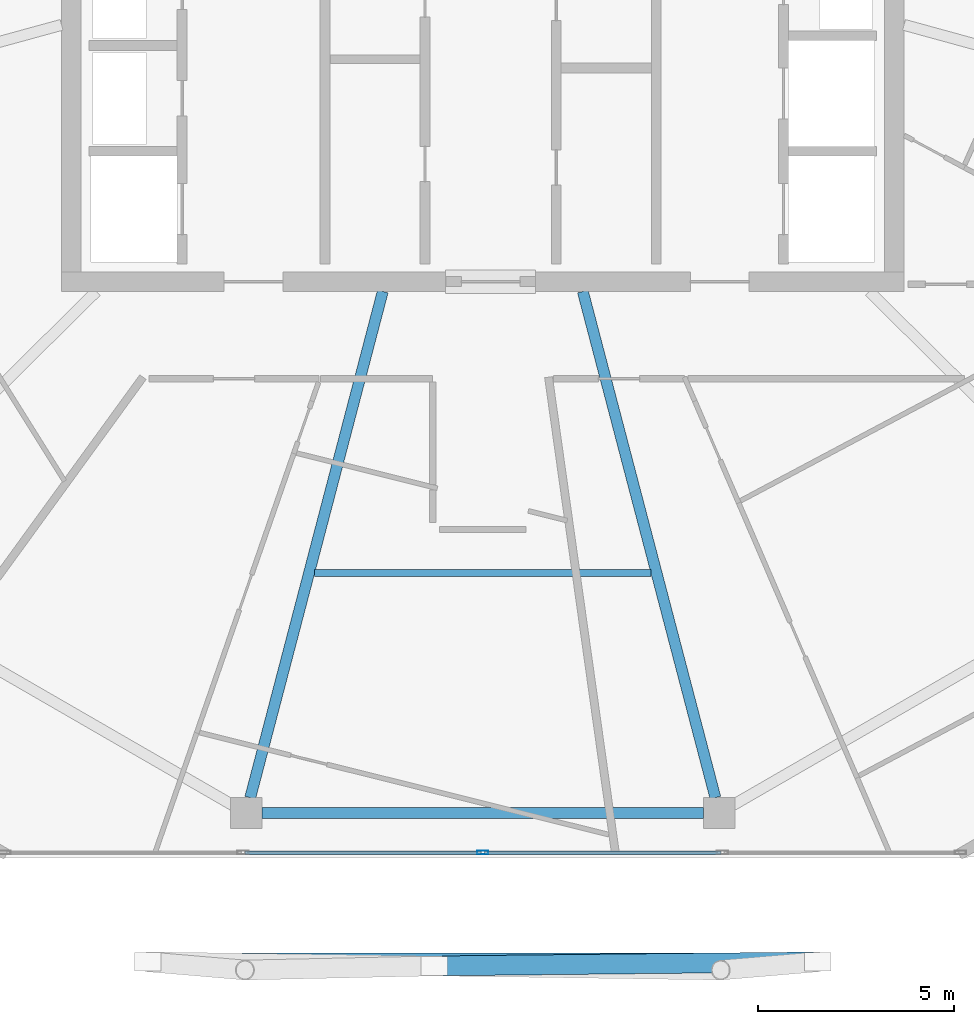
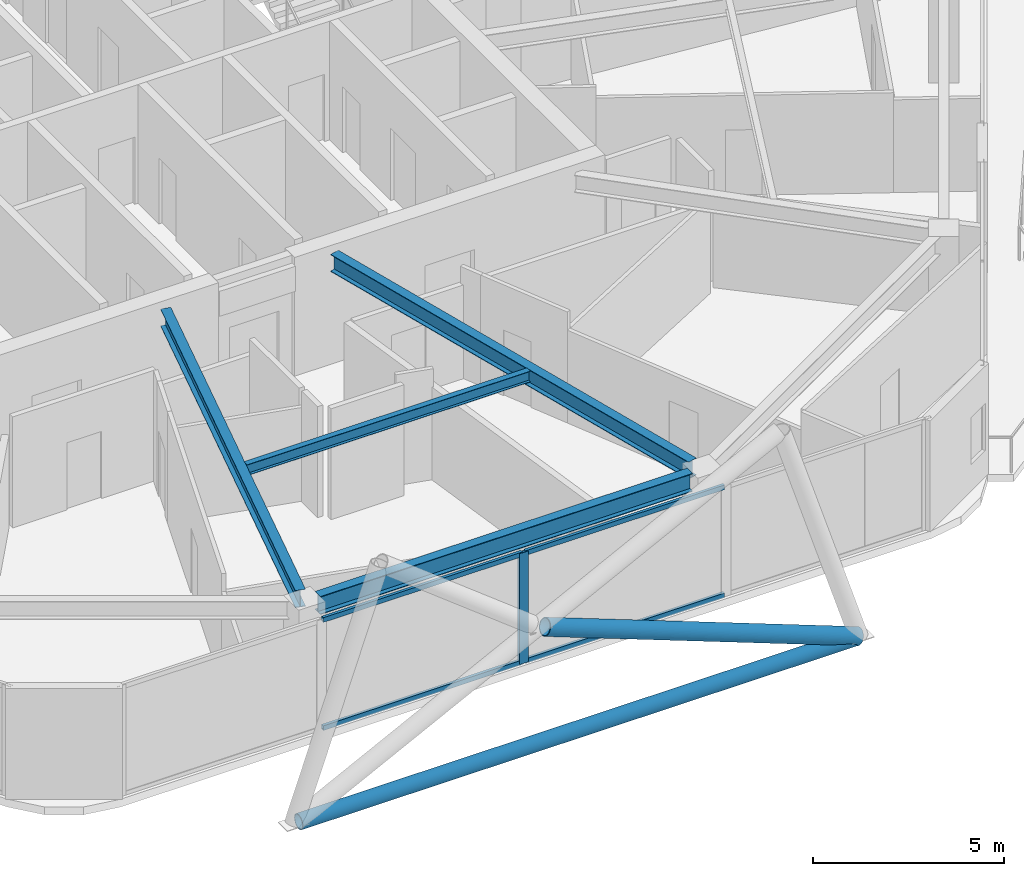
# One storey, part 4 of 23: 7 members, 4 beams, 1 element without a shape of its own.
"""IFC4 building model written with IfcOpenShell, lengths in metres."""

from ifc_helpers import new_model, si_unit, direction, frame, origin, origin_2d, place, context, subcontext, project, spatial, hollow_rectangle, hollow_circle, i_section, extrude, material, material_profile, profile_set, type_object, element, aggregate, save


model = new_model("IFC4")

# Units and contexts
model_context = context("Model", 3, precision=1e-05, world=origin(), true_north=direction((0.0, 1.0)))
body_context = subcontext(model_context, "Body", "Model", "MODEL_VIEW")
ifc_project = project(units=[si_unit("LENGTHUNIT", "METRE"), si_unit("AREAUNIT", "SQUARE_METRE"), si_unit("VOLUMEUNIT", "CUBIC_METRE"), si_unit("PLANEANGLEUNIT", "RADIAN"), si_unit("MASSUNIT", "GRAM", prefix="KILO")], contexts=[model_context])

# Site, building, storey
site_placement = place(None, origin())
site = spatial("IfcSite", under=ifc_project, at=site_placement, CompositionType="ELEMENT")
building_placement = place(site_placement, origin())
building = spatial("IfcBuilding", under=site, at=building_placement, Name="Zuhravey Tower", CompositionType="ELEMENT")
storey_placement = place(building_placement, frame((0.0, 0.0, 315.800048828125)))
storey = spatial("IfcBuildingStorey", under=building, at=storey_placement, Name="L80", CompositionType="ELEMENT", Elevation=315.800048828125)

# Curtain wall, members
ifc_material_1 = material(Name="Thermally broken anodised aluminium", Category="aluminium")
curtain_wall_type = type_object("IfcCurtainWallType", Name="Zone 3-4 High-Rise Curtain Wall CW4", PredefinedType="NOTDEFINED", material=ifc_material_1)
curtain_wall_placement = place(storey_placement, origin())
curtain_wall = element("IfcCurtainWall", 1, at=curtain_wall_placement, inside=storey, type_object=curtain_wall_type, Name="L80 CW4 CW-L80-F5-1", PredefinedType="NOTDEFINED")
ifc_material_2 = material(Name="Anodised aluminium", Category="aluminium")
ifc_material_profile_1 = material_profile(ifc_material_2, hollow_rectangle(XDim=0.090087890625, YDim=0.284912109375, WallThickness=0.0048828125, at=origin_2d()), Name="ALU-RHS-90x285x5")
ifc_profile_set_1 = profile_set([ifc_material_profile_1], Name="Anodised aluminium")
member_type_1 = type_object("IfcMemberType", Name="Curtain-Wall Mullion 90x180", PredefinedType="MULLION", material=ifc_profile_set_1)
member_1_placement = place(storey_placement, frame((36.0, 7.92578125, 0.0), z_axis=(0.0, 0.0, 1.0), x_axis=(0.0, -1.0, 0.0)))
member_1 = element("IfcMember", 2, at=member_1_placement, type_object=member_type_1, Name="CW4 mullion 3", PredefinedType="MULLION", context=body_context, shape_type="SweptSolid", body=[
    extrude(hollow_rectangle(XDim=0.090087890625, YDim=0.284912109375, WallThickness=0.0048828125, at=origin_2d()), origin(), (0.0, 0.0, 1.0), 3.550048828125),
])
ifc_material_profile_2 = material_profile(ifc_material_2, hollow_rectangle(XDim=0.090087890625, YDim=0.14990234375, WallThickness=0.0048828125, at=origin_2d()), Name="ALU-RHS-90x150x5")
ifc_profile_set_2 = profile_set([ifc_material_profile_2], Name="Anodised aluminium")
member_type_2 = type_object("IfcMemberType", Name="Curtain-Wall Transom 90x150", PredefinedType="USERDEFINED", material=ifc_profile_set_2)
member_2_placement = place(storey_placement, frame((42.07470703125, 7.92578125, 0.044921875), z_axis=(-1.0, 0.0, 0.0), x_axis=(0.0, -1.0, 0.0)))
member_2 = element("IfcMember", 3, at=member_2_placement, type_object=member_type_2, Name="CW4 transom 2.1", ObjectType="TRANSOM", PredefinedType="USERDEFINED", context=body_context, shape_type="SweptSolid", body=[
    extrude(hollow_rectangle(XDim=0.090087890625, YDim=0.14990234375, WallThickness=0.0048828125, at=origin_2d()), origin(), (0.0, 0.0, 1.0), 6.02978515625),
])
member_3_placement = place(storey_placement, frame((42.07470703125, 7.92578125, 3.5048828125), z_axis=(-1.0, 0.0, 0.0), x_axis=(0.0, -1.0, 0.0)))
member_3 = element("IfcMember", 4, at=member_3_placement, type_object=member_type_2, Name="CW4 transom 2.2", ObjectType="TRANSOM", PredefinedType="USERDEFINED", context=body_context, shape_type="SweptSolid", body=[
    extrude(hollow_rectangle(XDim=0.090087890625, YDim=0.14990234375, WallThickness=0.0048828125, at=origin_2d()), origin(), (0.0, 0.0, 1.0), 6.02978515625),
])
member_4_placement = place(storey_placement, frame((35.955078125, 7.92578125, 0.044921875), z_axis=(-1.0, 0.0, 0.0), x_axis=(0.0, -1.0, 0.0)))
member_4 = element("IfcMember", 5, at=member_4_placement, type_object=member_type_2, Name="CW4 transom 3.1", ObjectType="TRANSOM", PredefinedType="USERDEFINED", context=body_context, shape_type="SweptSolid", body=[
    extrude(hollow_rectangle(XDim=0.090087890625, YDim=0.14990234375, WallThickness=0.0048828125, at=origin_2d()), origin(), (0.0, 0.0, 1.0), 6.02978515625),
])
member_5_placement = place(storey_placement, frame((35.955078125, 7.92578125, 3.5048828125), z_axis=(-1.0, 0.0, 0.0), x_axis=(0.0, -1.0, 0.0)))
member_5 = element("IfcMember", 6, at=member_5_placement, type_object=member_type_2, Name="CW4 transom 3.2", ObjectType="TRANSOM", PredefinedType="USERDEFINED", context=body_context, shape_type="SweptSolid", body=[
    extrude(hollow_rectangle(XDim=0.090087890625, YDim=0.14990234375, WallThickness=0.0048828125, at=origin_2d()), origin(), (0.0, 0.0, 1.0), 6.02978515625),
])
aggregate(curtain_wall, [member_1, member_2, member_3, member_4, member_5])

# Members
ifc_material_3 = material(Name="Steel SM355", Category="steel")
ifc_material_profile_3 = material_profile(ifc_material_3, hollow_circle(Radius=0.228515625, WallThickness=0.02197265625, at=origin_2d()), Name="CHS-457.2x22")
ifc_profile_set_3 = profile_set([ifc_material_profile_3], Name="Steel SM355")
member_type_3 = type_object("IfcMemberType", Name="Exoskeleton Ring Tie CHS457x22", PredefinedType="CHORD", material=ifc_profile_set_3)
member_6_placement = place(storey_placement, frame((27.590576171875, 5.135986328125, -0.464111328125), z_axis=(1.0, 0.0, 0.0), x_axis=(0.0, 1.0, 0.0)))
element("IfcMember", 7, at=member_6_placement, inside=storey, type_object=member_type_3, Name="L80 Exoskeleton Face 5 Tie EXR1", PredefinedType="CHORD", context=body_context, shape_type="SweptSolid", body=[
    extrude(hollow_circle(Radius=0.228515625, WallThickness=0.02197265625, at=origin_2d()), origin(), (0.0, 0.0, 1.0), 16.81884765625),
])
ifc_material_profile_4 = material_profile(ifc_material_3, hollow_circle(Radius=0.25390625, WallThickness=0.02490234375, at=origin_2d()), Name="CHS-508.0x25")
ifc_profile_set_4 = profile_set([ifc_material_profile_4], Name="Steel SM355")
member_type_4 = type_object("IfcMemberType", Name="Exoskeleton Zone 4 Diagrid CHS508x25", PredefinedType="BRACE", material=ifc_profile_set_4)
member_7_placement = place(storey_placement, frame((44.51708984375, 5.135498046875, -0.451416015625), z_axis=(-0.93220360767, -0.009981584815, 0.361796630458), x_axis=(0.010706901994, -0.999942679482, 0.0)))
element("IfcMember", 8, at=member_7_placement, inside=storey, type_object=member_type_4, Name="L80 Face 5 Split Diagrid Brace 3A", PredefinedType="BRACE", context=body_context, shape_type="SweptSolid", body=[
    extrude(hollow_circle(Radius=0.25390625, WallThickness=0.02490234375, at=origin_2d()), origin(), (0.0, 0.0, 1.0), 10.223876953125),
])

# Beams
ifc_material_profile_5 = material_profile(ifc_material_3, i_section(OverallWidth=0.280029296875, OverallDepth=0.580078125, WebThickness=0.011962890625, FlangeThickness=0.01904296875, at=origin_2d()), Name="H-580x280x12x19")
ifc_profile_set_5 = profile_set([ifc_material_profile_5], Name="Steel SM355")
beam_type_1 = type_object("IfcBeamType", Name="Perimeter Ring Beam H580x280", PredefinedType="BEAM", material=ifc_profile_set_5)
beam_1_placement = place(storey_placement, frame((30.3642578125, 8.935791015625, 3.260009765625), z_axis=(1.0, 0.0, 0.0), x_axis=(0.0, 1.0, 0.0)))
element("IfcBeam", 9, at=beam_1_placement, inside=storey, type_object=beam_type_1, Name="L80 PB4 BM-L80-PB-09", PredefinedType="BEAM", context=body_context, shape_type="SweptSolid", body=[
    extrude(i_section(OverallWidth=0.280029296875, OverallDepth=0.580078125, WebThickness=0.011962890625, FlangeThickness=0.01904296875, at=origin_2d()), origin(), (0.0, 0.0, 1.0), 11.271484375),
])
ifc_material_profile_6 = material_profile(ifc_material_3, i_section(OverallWidth=0.280029296875, OverallDepth=0.550048828125, WebThickness=0.010986328125, FlangeThickness=0.01806640625, at=origin_2d()), Name="H-550x280x11x18")
ifc_profile_set_6 = profile_set([ifc_material_profile_6], Name="Steel SM355")
beam_type_2 = type_object("IfcBeamType", Name="Radial Primary Girder H550x280", PredefinedType="BEAM", material=ifc_profile_set_6)
for number, where, z_axis, x_axis, name in (
    (10, (33.446533203125, 22.2470703125, 3.27490234375), (-0.253281197106, -0.967392699576, 0.0), (0.967392699576, -0.253281197106, 0.0), "L80 RG4 BM-L80-RAD-09"),
    (11, (38.553466796875, 22.2470703125, 3.27490234375), (0.253281197106, -0.967392699576, 0.0), (0.967392699576, 0.253281197106, 0.0), "L80 RG4 BM-L80-RAD-10"),
):
    element("IfcBeam", number, at=place(storey_placement, frame(where, z_axis=z_axis, x_axis=x_axis)), inside=storey, type_object=beam_type_2, Name=name, PredefinedType="BEAM", context=body_context, shape_type="SweptSolid", body=[
        extrude(i_section(OverallWidth=0.280029296875, OverallDepth=0.550048828125, WebThickness=0.010986328125, FlangeThickness=0.01806640625, at=origin_2d()), origin(), (0.0, 0.0, 1.0), 13.35693359375),
    ])
ifc_material_profile_7 = material_profile(ifc_material_3, i_section(OverallWidth=0.175048828125, OverallDepth=0.35009765625, WebThickness=0.007080078125, FlangeThickness=0.010986328125, at=origin_2d()), Name="H-350x175x7x11")
ifc_profile_set_7 = profile_set([ifc_material_profile_7], Name="Steel SM355")
beam_type_3 = type_object("IfcBeamType", Name="Secondary Floor Joist H350x175", PredefinedType="JOIST", material=ifc_profile_set_7)
beam_2_placement = place(storey_placement, frame((31.70849609375, 15.05908203125, 3.375), z_axis=(1.0, 0.0, 0.0), x_axis=(0.0, 1.0, 0.0)))
element("IfcBeam", 12, at=beam_2_placement, inside=storey, type_object=beam_type_3, Name="L80 SJ3 BM-L80-SJ-09-1", PredefinedType="JOIST", context=body_context, shape_type="SweptSolid", body=[
    extrude(i_section(OverallWidth=0.175048828125, OverallDepth=0.35009765625, WebThickness=0.007080078125, FlangeThickness=0.010986328125, at=origin_2d()), origin(), (0.0, 0.0, 1.0), 8.5830078125),
])

save(model, "model.ifc")
